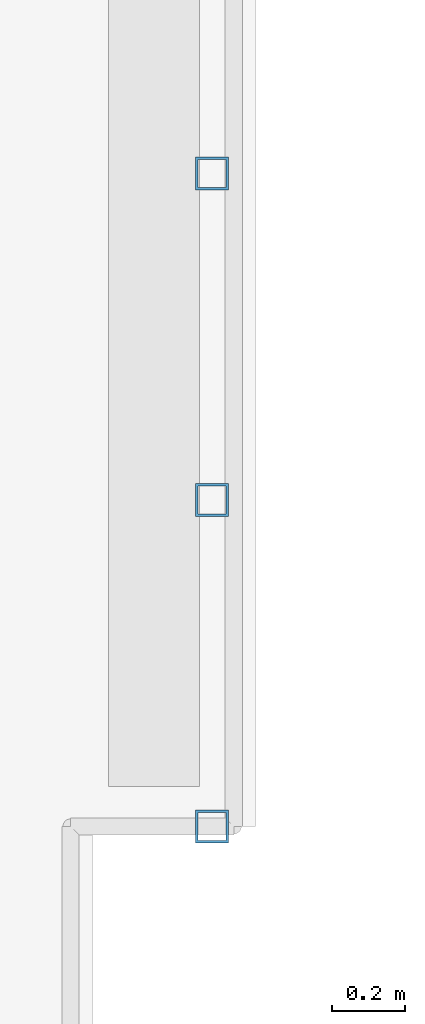
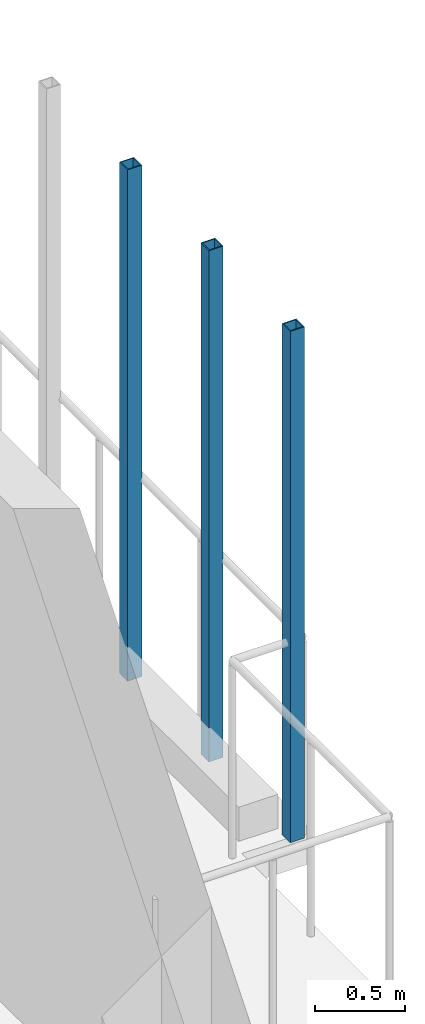
# One storey, part 14 of 73: 3 members.
"""IFC4 building model written with IfcOpenShell, lengths in metres."""

from ifc_helpers import new_model, si_unit, derived_unit, direction, frame, origin, origin_2d, place, context, subcontext, project, spatial, hollow_rectangle, extrude, material, material_profile, profile_set, type_object, element, save


model = new_model("IFC4")

# Units and contexts
model_context = context("Model", 3, precision=1e-05, world=origin(), true_north=direction((0.0, 1.0)))
body_context = subcontext(model_context, "Body", "Model", "MODEL_VIEW")
ifc_project = project(units=[si_unit("LENGTHUNIT", "METRE"), si_unit("AREAUNIT", "SQUARE_METRE"), si_unit("VOLUMEUNIT", "CUBIC_METRE"), si_unit("PLANEANGLEUNIT", "RADIAN"), si_unit("MASSUNIT", "GRAM", prefix="KILO"), derived_unit("THERMALTRANSMITTANCEUNIT", [(si_unit("MASSUNIT", "GRAM", prefix="KILO"), 1), (si_unit("TIMEUNIT", "SECOND"), -3), (si_unit("THERMODYNAMICTEMPERATUREUNIT", "KELVIN"), -1)])], contexts=[model_context])

# Site, building, storey
site_placement = place(None, origin())
site = spatial("IfcSite", under=ifc_project, at=site_placement, CompositionType="ELEMENT")
building_placement = place(site_placement, origin())
building = spatial("IfcBuilding", under=site, at=building_placement, Name="Ochrekiln Boulevard Commons", CompositionType="ELEMENT")
storey_placement = place(building_placement, frame((0.0, 0.0, 4.89990234375)))
storey = spatial("IfcBuildingStorey", under=building, at=storey_placement, Name="L01", CompositionType="ELEMENT", Elevation=4.89990234375)

# Members
ifc_material = material(Name="Steel A500 Grade C", Category="steel")
ifc_material_profile = material_profile(ifc_material, hollow_rectangle(XDim=0.090087890625, YDim=0.090087890625, WallThickness=0.00634765625, at=origin_2d()), Name="HSS90X90X6.4")
ifc_profile_set = profile_set([ifc_material_profile], Name="Steel A500 Grade C")
member_type = type_object("IfcMemberType", Name="MEM-PST-HSS90", PredefinedType="POST", material=ifc_profile_set)
for number, where, z_axis, x_axis, name in (
    (1, (23.47998046875, 78.300048828125, 0.0), (0.0, 0.0, 1.0), (1.0, 0.0, 0.0), "Block A L01 Slim Vertical Balcony Post (12)"),
    (2, (23.47998046875, 79.199951171875, 0.0), (0.0, 0.0, 1.0), (1.0, 0.0, 0.0), "Block A L01 Slim Vertical Balcony Post (13)"),
    (3, (23.47998046875, 80.10009765625, 0.0), (0.0, 0.0, 1.0), (1.0, 0.0, 0.0), "Block A L01 Slim Vertical Balcony Post (14)"),
):
    element("IfcMember", number, at=place(storey_placement, frame(where, z_axis=z_axis, x_axis=x_axis)), inside=storey, type_object=member_type, Name=name, PredefinedType="POST", context=body_context, shape_type="SweptSolid", body=[
        extrude(hollow_rectangle(XDim=0.090087890625, YDim=0.090087890625, WallThickness=0.00634765625, at=origin_2d()), origin(), (0.0, 0.0, 1.0), 3.455078125),
    ])

save(model, "model.ifc")
